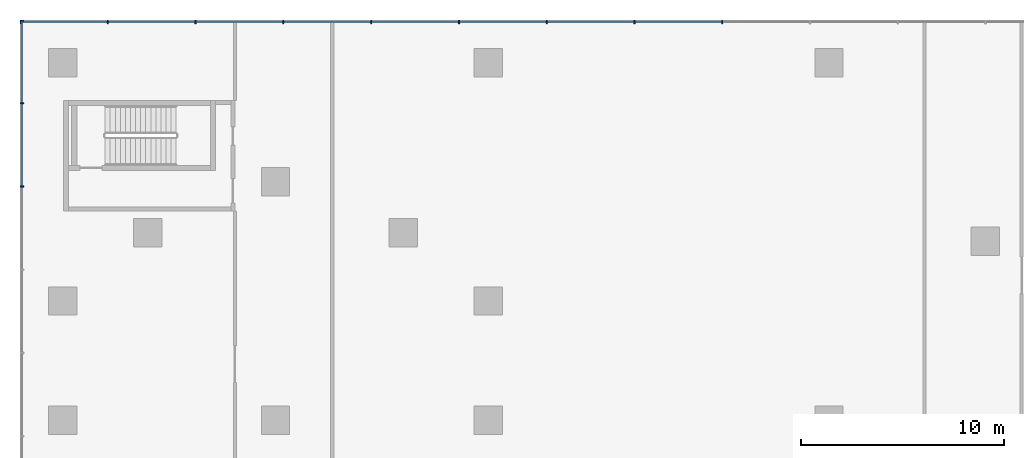
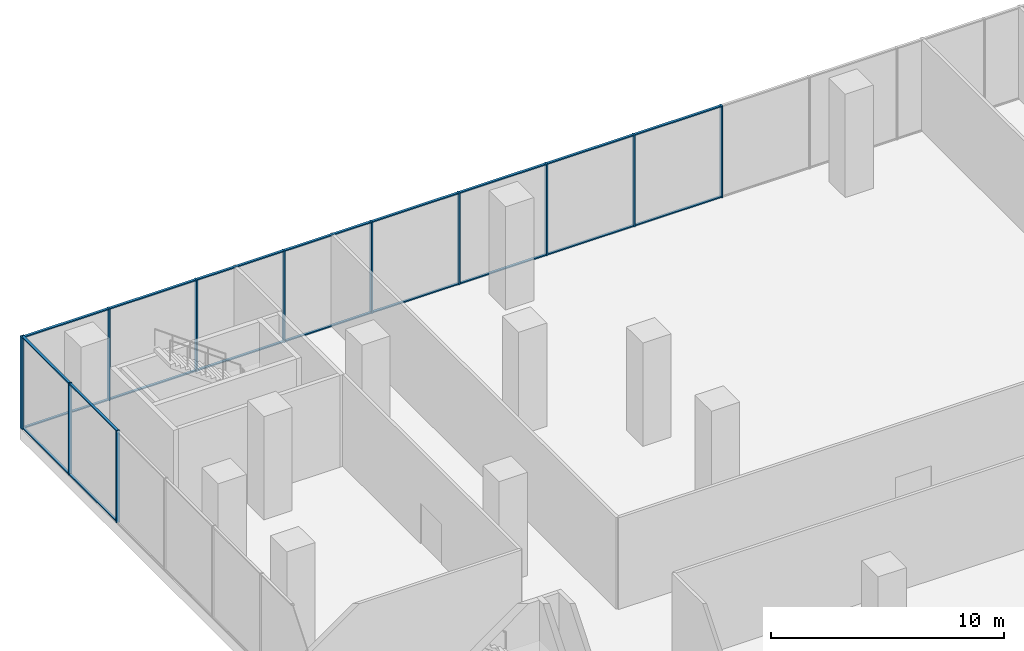
# One storey, part 10 of 23: 32 members, 2 elements without a shape of their own.
"""IFC4 building model written with IfcOpenShell, lengths in metres."""

from ifc_helpers import new_model, si_unit, direction, frame, origin, origin_2d, place, context, subcontext, project, spatial, rectangle, extrude, source, transform, mapped, material, layer, layer_set, material_profile, profile_set, type_object, element, aggregate, save


model = new_model("IFC4")

# Units and contexts
model_context = context("Model", 3, precision=1e-05, world=origin(), true_north=direction((0.0, 1.0)))
body_context = subcontext(model_context, "Body", "Model", "MODEL_VIEW")
ifc_project = project(units=[si_unit("LENGTHUNIT", "METRE"), si_unit("AREAUNIT", "SQUARE_METRE"), si_unit("VOLUMEUNIT", "CUBIC_METRE"), si_unit("PLANEANGLEUNIT", "RADIAN"), si_unit("MASSUNIT", "GRAM", prefix="KILO")], contexts=[model_context])

# Site, building, storey
site_placement = place(None, origin())
site = spatial("IfcSite", under=ifc_project, at=site_placement, CompositionType="ELEMENT")
building_placement = place(site_placement, origin())
building = spatial("IfcBuilding", under=site, at=building_placement, Name="Aurelian Terraces", CompositionType="ELEMENT")
storey_placement = place(building_placement, frame((0.0, 0.0, 18.3)))
storey = spatial("IfcBuildingStorey", under=building, at=storey_placement, Name="L03", CompositionType="ELEMENT", Elevation=18.3)

# Curtain wall, members
ifc_material_1 = material(Name="Anodised aluminium and clear glazing", Category="aluminium")
ifc_layer = layer(ifc_material_1, 0.2)
ifc_layer_set = layer_set([ifc_layer], Name="Winter garden glazing curtain wall")
curtain_wall_type = type_object("IfcCurtainWallType", Name="Winter garden glazing curtain wall", PredefinedType="NOTDEFINED", material=ifc_layer_set)
curtain_wall_1_placement = place(storey_placement, origin())
curtain_wall_1 = element("IfcCurtainWall", 1, at=curtain_wall_1_placement, inside=storey, type_object=curtain_wall_type, Name="Winter garden glazing L03 F05.1", PredefinedType="NOTDEFINED")
ifc_material_2 = material(Name="Anodised aluminium", Category="aluminium")
ifc_material_profile_1 = material_profile(ifc_material_2, rectangle(XDim=0.18, YDim=0.06, at=origin_2d()))
ifc_profile_set_1 = profile_set([ifc_material_profile_1], Name="Anodised aluminium")
member_type_1 = type_object("IfcMemberType", Name="Winter garden glazing mullion", PredefinedType="MULLION", material=ifc_profile_set_1)
shared_shape_1 = source(origin(), body_context, "Body", "SweptSolid", [
    extrude(rectangle(XDim=0.18, YDim=0.06, at=origin_2d()), origin(), (0.0, 0.0, 1.0), 4.8),
])
member_1_placement = place(storey_placement, frame((32.5338, 71.72, 0.0), z_axis=(0.0, 0.0, 1.0), x_axis=(0.0, -1.0, 0.0)))
member_1 = element("IfcMember", 2, at=member_1_placement, type_object=member_type_1, Name="CW6 mullion 6", PredefinedType="MULLION", context=body_context, shape_type="MappedRepresentation", body=[
    mapped(shared_shape_1, transform((0.0, 0.0, 0.0), scale=1.0)),
])
member_2_placement = place(storey_placement, frame((28.2046, 71.72, 0.0), z_axis=(0.0, 0.0, 1.0), x_axis=(0.0, -1.0, 0.0)))
member_2 = element("IfcMember", 3, at=member_2_placement, type_object=member_type_1, Name="CW6 mullion 7", PredefinedType="MULLION", context=body_context, shape_type="MappedRepresentation", body=[
    mapped(shared_shape_1, transform((0.0, 0.0, 0.0), scale=1.0)),
])
member_3_placement = place(storey_placement, frame((23.8754, 71.72, 0.0), z_axis=(0.0, 0.0, 1.0), x_axis=(0.0, -1.0, 0.0)))
member_3 = element("IfcMember", 4, at=member_3_placement, type_object=member_type_1, Name="CW6 mullion 8", PredefinedType="MULLION", context=body_context, shape_type="MappedRepresentation", body=[
    mapped(shared_shape_1, transform((0.0, 0.0, 0.0), scale=1.0)),
])
member_4_placement = place(storey_placement, frame((19.5462, 71.72, 0.0), z_axis=(0.0, 0.0, 1.0), x_axis=(0.0, -1.0, 0.0)))
member_4 = element("IfcMember", 5, at=member_4_placement, type_object=member_type_1, Name="CW6 mullion 9", PredefinedType="MULLION", context=body_context, shape_type="MappedRepresentation", body=[
    mapped(shared_shape_1, transform((0.0, 0.0, 0.0), scale=1.0)),
])
member_5_placement = place(storey_placement, frame((15.2169, 71.72, 0.0), z_axis=(0.0, 0.0, 1.0), x_axis=(0.0, -1.0, 0.0)))
member_5 = element("IfcMember", 6, at=member_5_placement, type_object=member_type_1, Name="CW6 mullion 10", PredefinedType="MULLION", context=body_context, shape_type="MappedRepresentation", body=[
    mapped(shared_shape_1, transform((0.0, 0.0, 0.0), scale=1.0)),
])
member_6_placement = place(storey_placement, frame((10.8877, 71.72, 0.0), z_axis=(0.0, 0.0, 1.0), x_axis=(0.0, -1.0, 0.0)))
member_6 = element("IfcMember", 7, at=member_6_placement, type_object=member_type_1, Name="CW6 mullion 11", PredefinedType="MULLION", context=body_context, shape_type="MappedRepresentation", body=[
    mapped(shared_shape_1, transform((0.0, 0.0, 0.0), scale=1.0)),
])
member_7_placement = place(storey_placement, frame((6.5585, 71.72, 0.0), z_axis=(0.0, 0.0, 1.0), x_axis=(0.0, -1.0, 0.0)))
member_7 = element("IfcMember", 8, at=member_7_placement, type_object=member_type_1, Name="CW6 mullion 12", PredefinedType="MULLION", context=body_context, shape_type="MappedRepresentation", body=[
    mapped(shared_shape_1, transform((0.0, 0.0, 0.0), scale=1.0)),
])
member_8_placement = place(storey_placement, frame((2.2292, 71.72, 0.0), z_axis=(0.0, 0.0, 1.0), x_axis=(0.0, -1.0, 0.0)))
member_8 = element("IfcMember", 9, at=member_8_placement, type_object=member_type_1, Name="CW6 mullion 13", PredefinedType="MULLION", context=body_context, shape_type="MappedRepresentation", body=[
    mapped(shared_shape_1, transform((0.0, 0.0, 0.0), scale=1.0)),
])
member_9_placement = place(storey_placement, frame((-2.07, 71.72, 0.0), z_axis=(0.0, 0.0, 1.0), x_axis=(0.0, -1.0, 0.0)))
member_9 = element("IfcMember", 10, at=member_9_placement, type_object=member_type_1, Name="CW6 mullion 14", PredefinedType="MULLION", context=body_context, shape_type="MappedRepresentation", body=[
    mapped(shared_shape_1, transform((0.0, 0.0, 0.0), scale=1.0)),
])

curtain_wall_2_placement = place(storey_placement, origin())
curtain_wall_2 = element("IfcCurtainWall", 11, at=curtain_wall_2_placement, inside=storey, type_object=curtain_wall_type, Name="Winter garden glazing L03 F06.1", PredefinedType="NOTDEFINED")
member_10_placement = place(storey_placement, frame((-2.0, 71.79, 0.0), z_axis=(0.0, 0.0, 1.0), x_axis=(1.0, 0.0, 0.0)))
member_10 = element("IfcMember", 12, at=member_10_placement, type_object=member_type_1, Name="CW6 mullion 1", PredefinedType="MULLION", context=body_context, shape_type="MappedRepresentation", body=[
    mapped(shared_shape_1, transform((0.0, 0.0, 0.0), scale=1.0)),
])
member_11_placement = place(storey_placement, frame((-2.0, 67.7133, 0.0), z_axis=(0.0, 0.0, 1.0), x_axis=(1.0, 0.0, 0.0)))
member_11 = element("IfcMember", 13, at=member_11_placement, type_object=member_type_1, Name="CW6 mullion 2", PredefinedType="MULLION", context=body_context, shape_type="MappedRepresentation", body=[
    mapped(shared_shape_1, transform((0.0, 0.0, 0.0), scale=1.0)),
])
member_12_placement = place(storey_placement, frame((-2.0, 63.6067, 0.0), z_axis=(0.0, 0.0, 1.0), x_axis=(1.0, 0.0, 0.0)))
member_12 = element("IfcMember", 14, at=member_12_placement, type_object=member_type_1, Name="CW6 mullion 3", PredefinedType="MULLION", context=body_context, shape_type="MappedRepresentation", body=[
    mapped(shared_shape_1, transform((0.0, 0.0, 0.0), scale=1.0)),
])

# Member
ifc_material_profile_2 = material_profile(ifc_material_2, rectangle(XDim=0.12, YDim=0.06, at=origin_2d()))
ifc_profile_set_2 = profile_set([ifc_material_profile_2], Name="Anodised aluminium")
member_type_2 = type_object("IfcMemberType", Name="Winter garden glazing transom", PredefinedType="USERDEFINED", material=ifc_profile_set_2)
shared_shape_2 = source(origin(), body_context, "Body", "SweptSolid", [
    extrude(rectangle(XDim=0.12, YDim=0.06, at=origin_2d()), origin(), (0.0, 0.0, 1.0), 4.2392),
])
member_13_placement = place(storey_placement, frame((2.1992, 71.72, 0.03), z_axis=(-1.0, 0.0, 0.0), x_axis=(0.0, -1.0, 0.0)))
member_13 = element("IfcMember", 15, at=member_13_placement, type_object=member_type_2, Name="CW6 transom 13.1", ObjectType="TRANSOM", PredefinedType="USERDEFINED", context=body_context, shape_type="MappedRepresentation", body=[
    mapped(shared_shape_2, transform((0.0, 0.0, 0.0), scale=1.0)),
])

member_14_placement = place(storey_placement, frame((2.1992, 71.72, 4.77), z_axis=(-1.0, 0.0, 0.0), x_axis=(0.0, -1.0, 0.0)))
member_14 = element("IfcMember", 16, at=member_14_placement, type_object=member_type_2, Name="CW6 transom 13.2", ObjectType="TRANSOM", PredefinedType="USERDEFINED", context=body_context, shape_type="MappedRepresentation", body=[
    mapped(shared_shape_2, transform((0.0, 0.0, 0.0), scale=1.0)),
])

shared_shape_3 = source(origin(), body_context, "Body", "SweptSolid", [
    extrude(rectangle(XDim=0.12, YDim=0.06, at=origin_2d()), origin(), (0.0, 0.0, 1.0), 4.2693),
])
member_15_placement = place(storey_placement, frame((19.5162, 71.72, 0.03), z_axis=(-1.0, 0.0, 0.0), x_axis=(0.0, -1.0, 0.0)))
member_15 = element("IfcMember", 17, at=member_15_placement, type_object=member_type_2, Name="CW6 transom 9.1", ObjectType="TRANSOM", PredefinedType="USERDEFINED", context=body_context, shape_type="MappedRepresentation", body=[
    mapped(shared_shape_3, transform((0.0, 0.0, 0.0), scale=1.0)),
])

member_16_placement = place(storey_placement, frame((19.5162, 71.72, 4.77), z_axis=(-1.0, 0.0, 0.0), x_axis=(0.0, -1.0, 0.0)))
member_16 = element("IfcMember", 18, at=member_16_placement, type_object=member_type_2, Name="CW6 transom 9.2", ObjectType="TRANSOM", PredefinedType="USERDEFINED", context=body_context, shape_type="MappedRepresentation", body=[
    mapped(shared_shape_3, transform((0.0, 0.0, 0.0), scale=1.0)),
])

member_17_placement = place(storey_placement, frame((6.5285, 71.72, 0.03), z_axis=(-1.0, 0.0, 0.0), x_axis=(0.0, -1.0, 0.0)))
member_17 = element("IfcMember", 19, at=member_17_placement, type_object=member_type_2, Name="CW6 transom 12.1", ObjectType="TRANSOM", PredefinedType="USERDEFINED", context=body_context, shape_type="MappedRepresentation", body=[
    mapped(shared_shape_3, transform((0.0, 0.0, 0.0), scale=1.0)),
])

member_18_placement = place(storey_placement, frame((6.5285, 71.72, 4.77), z_axis=(-1.0, 0.0, 0.0), x_axis=(0.0, -1.0, 0.0)))
member_18 = element("IfcMember", 20, at=member_18_placement, type_object=member_type_2, Name="CW6 transom 12.2", ObjectType="TRANSOM", PredefinedType="USERDEFINED", context=body_context, shape_type="MappedRepresentation", body=[
    mapped(shared_shape_3, transform((0.0, 0.0, 0.0), scale=1.0)),
])

shared_shape_4 = source(origin(), body_context, "Body", "SweptSolid", [
    extrude(rectangle(XDim=0.12, YDim=0.06, at=origin_2d()), origin(), (0.0, 0.0, 1.0), 4.2692),
])
member_19_placement = place(storey_placement, frame((32.5038, 71.72, 0.03), z_axis=(-1.0, 0.0, 0.0), x_axis=(0.0, -1.0, 0.0)))
member_19 = element("IfcMember", 21, at=member_19_placement, type_object=member_type_2, Name="CW6 transom 6.1", ObjectType="TRANSOM", PredefinedType="USERDEFINED", context=body_context, shape_type="MappedRepresentation", body=[
    mapped(shared_shape_4, transform((0.0, 0.0, 0.0), scale=1.0)),
])

member_20_placement = place(storey_placement, frame((32.5038, 71.72, 4.77), z_axis=(-1.0, 0.0, 0.0), x_axis=(0.0, -1.0, 0.0)))
member_20 = element("IfcMember", 22, at=member_20_placement, type_object=member_type_2, Name="CW6 transom 6.2", ObjectType="TRANSOM", PredefinedType="USERDEFINED", context=body_context, shape_type="MappedRepresentation", body=[
    mapped(shared_shape_4, transform((0.0, 0.0, 0.0), scale=1.0)),
])

member_21_placement = place(storey_placement, frame((28.1746, 71.72, 0.03), z_axis=(-1.0, 0.0, 0.0), x_axis=(0.0, -1.0, 0.0)))
member_21 = element("IfcMember", 23, at=member_21_placement, type_object=member_type_2, Name="CW6 transom 7.1", ObjectType="TRANSOM", PredefinedType="USERDEFINED", context=body_context, shape_type="MappedRepresentation", body=[
    mapped(shared_shape_4, transform((0.0, 0.0, 0.0), scale=1.0)),
])

member_22_placement = place(storey_placement, frame((28.1746, 71.72, 4.77), z_axis=(-1.0, 0.0, 0.0), x_axis=(0.0, -1.0, 0.0)))
member_22 = element("IfcMember", 24, at=member_22_placement, type_object=member_type_2, Name="CW6 transom 7.2", ObjectType="TRANSOM", PredefinedType="USERDEFINED", context=body_context, shape_type="MappedRepresentation", body=[
    mapped(shared_shape_4, transform((0.0, 0.0, 0.0), scale=1.0)),
])

member_23_placement = place(storey_placement, frame((23.8454, 71.72, 0.03), z_axis=(-1.0, 0.0, 0.0), x_axis=(0.0, -1.0, 0.0)))
member_23 = element("IfcMember", 25, at=member_23_placement, type_object=member_type_2, Name="CW6 transom 8.1", ObjectType="TRANSOM", PredefinedType="USERDEFINED", context=body_context, shape_type="MappedRepresentation", body=[
    mapped(shared_shape_4, transform((0.0, 0.0, 0.0), scale=1.0)),
])

member_24_placement = place(storey_placement, frame((23.8454, 71.72, 4.77), z_axis=(-1.0, 0.0, 0.0), x_axis=(0.0, -1.0, 0.0)))
member_24 = element("IfcMember", 26, at=member_24_placement, type_object=member_type_2, Name="CW6 transom 8.2", ObjectType="TRANSOM", PredefinedType="USERDEFINED", context=body_context, shape_type="MappedRepresentation", body=[
    mapped(shared_shape_4, transform((0.0, 0.0, 0.0), scale=1.0)),
])

member_25_placement = place(storey_placement, frame((15.1869, 71.72, 0.03), z_axis=(-1.0, 0.0, 0.0), x_axis=(0.0, -1.0, 0.0)))
member_25 = element("IfcMember", 27, at=member_25_placement, type_object=member_type_2, Name="CW6 transom 10.1", ObjectType="TRANSOM", PredefinedType="USERDEFINED", context=body_context, shape_type="MappedRepresentation", body=[
    mapped(shared_shape_4, transform((0.0, 0.0, 0.0), scale=1.0)),
])

member_26_placement = place(storey_placement, frame((15.1869, 71.72, 4.77), z_axis=(-1.0, 0.0, 0.0), x_axis=(0.0, -1.0, 0.0)))
member_26 = element("IfcMember", 28, at=member_26_placement, type_object=member_type_2, Name="CW6 transom 10.2", ObjectType="TRANSOM", PredefinedType="USERDEFINED", context=body_context, shape_type="MappedRepresentation", body=[
    mapped(shared_shape_4, transform((0.0, 0.0, 0.0), scale=1.0)),
])

member_27_placement = place(storey_placement, frame((10.8577, 71.72, 0.03), z_axis=(-1.0, 0.0, 0.0), x_axis=(0.0, -1.0, 0.0)))
member_27 = element("IfcMember", 29, at=member_27_placement, type_object=member_type_2, Name="CW6 transom 11.1", ObjectType="TRANSOM", PredefinedType="USERDEFINED", context=body_context, shape_type="MappedRepresentation", body=[
    mapped(shared_shape_4, transform((0.0, 0.0, 0.0), scale=1.0)),
])

member_28_placement = place(storey_placement, frame((10.8577, 71.72, 4.77), z_axis=(-1.0, 0.0, 0.0), x_axis=(0.0, -1.0, 0.0)))
member_28 = element("IfcMember", 30, at=member_28_placement, type_object=member_type_2, Name="CW6 transom 11.2", ObjectType="TRANSOM", PredefinedType="USERDEFINED", context=body_context, shape_type="MappedRepresentation", body=[
    mapped(shared_shape_4, transform((0.0, 0.0, 0.0), scale=1.0)),
])

aggregate(curtain_wall_1, [member_1, member_2, member_3, member_4, member_5, member_6, member_7, member_8, member_9, member_19, member_20, member_21, member_22, member_23, member_24, member_15, member_16, member_25, member_26, member_27, member_28, member_17, member_18, member_13, member_14])

shared_shape_5 = source(origin(), body_context, "Body", "SweptSolid", [
    extrude(rectangle(XDim=0.12, YDim=0.06, at=origin_2d()), origin(), (0.0, 0.0, 1.0), 4.0167),
])
member_29_placement = place(storey_placement, frame((-2.0, 71.76, 0.03), z_axis=(0.0, -1.0, 0.0), x_axis=(1.0, 0.0, 0.0)))
member_29 = element("IfcMember", 31, at=member_29_placement, type_object=member_type_2, Name="CW6 transom 1.1", ObjectType="TRANSOM", PredefinedType="USERDEFINED", context=body_context, shape_type="MappedRepresentation", body=[
    mapped(shared_shape_5, transform((0.0, 0.0, 0.0), scale=1.0)),
])

member_30_placement = place(storey_placement, frame((-2.0, 71.76, 4.77), z_axis=(0.0, -1.0, 0.0), x_axis=(1.0, 0.0, 0.0)))
member_30 = element("IfcMember", 32, at=member_30_placement, type_object=member_type_2, Name="CW6 transom 1.2", ObjectType="TRANSOM", PredefinedType="USERDEFINED", context=body_context, shape_type="MappedRepresentation", body=[
    mapped(shared_shape_5, transform((0.0, 0.0, 0.0), scale=1.0)),
])

shared_shape_6 = source(origin(), body_context, "Body", "SweptSolid", [
    extrude(rectangle(XDim=0.12, YDim=0.06, at=origin_2d()), origin(), (0.0, 0.0, 1.0), 4.0466),
])
member_31_placement = place(storey_placement, frame((-2.0, 67.6833, 0.03), z_axis=(0.0, -1.0, 0.0), x_axis=(1.0, 0.0, 0.0)))
member_31 = element("IfcMember", 33, at=member_31_placement, type_object=member_type_2, Name="CW6 transom 2.1", ObjectType="TRANSOM", PredefinedType="USERDEFINED", context=body_context, shape_type="MappedRepresentation", body=[
    mapped(shared_shape_6, transform((0.0, 0.0, 0.0), scale=1.0)),
])

member_32_placement = place(storey_placement, frame((-2.0, 67.6833, 4.77), z_axis=(0.0, -1.0, 0.0), x_axis=(1.0, 0.0, 0.0)))
member_32 = element("IfcMember", 34, at=member_32_placement, type_object=member_type_2, Name="CW6 transom 2.2", ObjectType="TRANSOM", PredefinedType="USERDEFINED", context=body_context, shape_type="MappedRepresentation", body=[
    mapped(shared_shape_6, transform((0.0, 0.0, 0.0), scale=1.0)),
])

aggregate(curtain_wall_2, [member_10, member_11, member_12, member_29, member_30, member_31, member_32])

save(model, "model.ifc")
